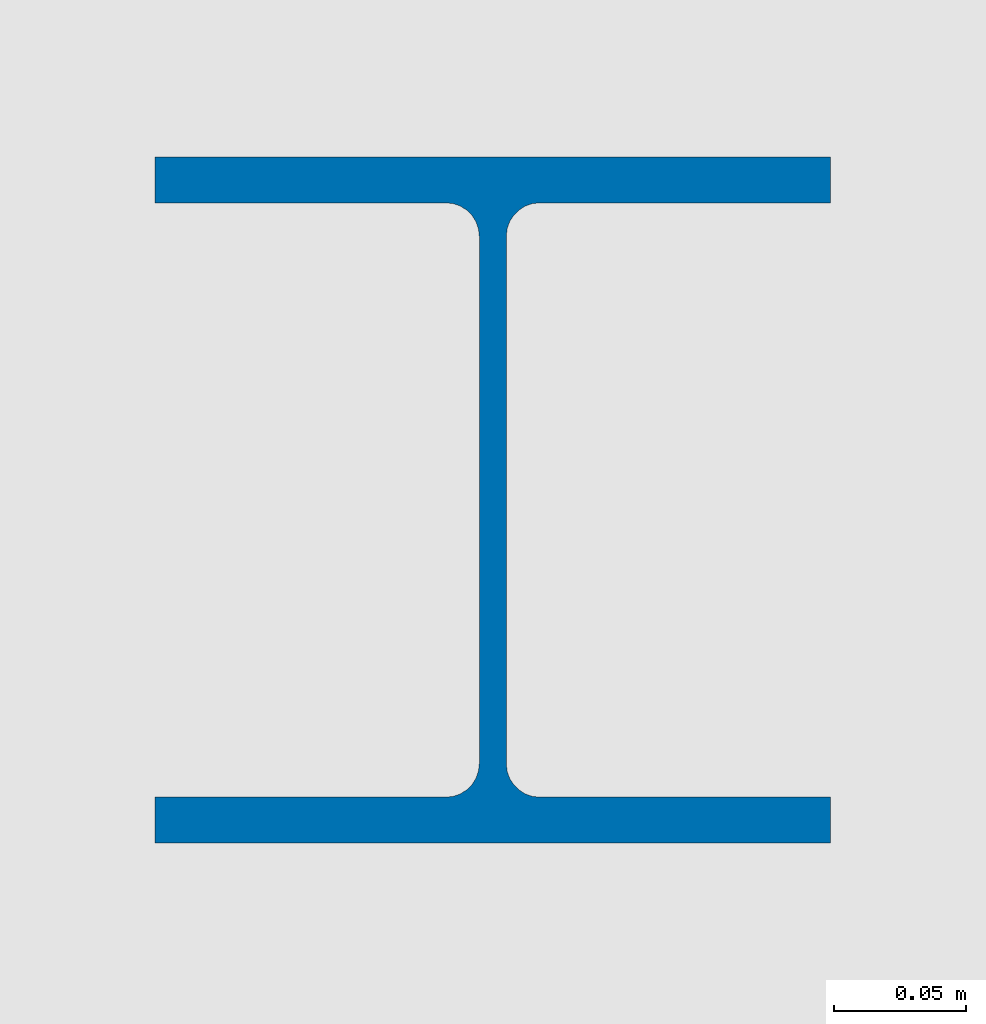
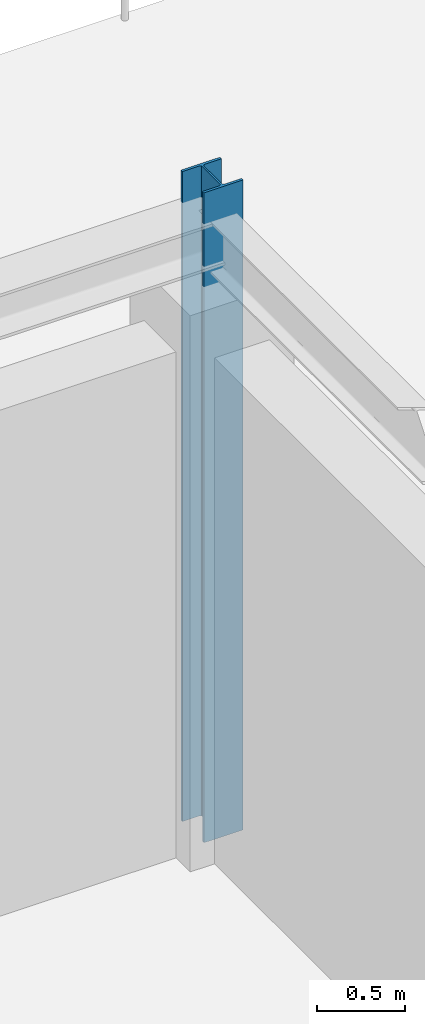
# One storey, part 7 of 36: 1 column.
"""IFC4 building model written with IfcOpenShell, lengths in metres."""

from ifc_helpers import new_model, si_unit, direction, frame, origin, origin_2d, place, context, subcontext, project, spatial, i_section, extrude, material, material_profile, profile_set, type_object, element, save


model = new_model("IFC4")

# Units and contexts
model_context = context("Model", 3, precision=1e-05, world=origin(), true_north=direction((0.0, 1.0)))
body_context = subcontext(model_context, "Body", "Model", "MODEL_VIEW")
ifc_project = project(units=[si_unit("LENGTHUNIT", "METRE"), si_unit("AREAUNIT", "SQUARE_METRE"), si_unit("VOLUMEUNIT", "CUBIC_METRE"), si_unit("PLANEANGLEUNIT", "RADIAN"), si_unit("MASSUNIT", "GRAM", prefix="KILO")], contexts=[model_context])

# Site, building, storey
site_placement = place(None, origin())
site = spatial("IfcSite", under=ifc_project, at=site_placement, CompositionType="ELEMENT")
building_placement = place(site_placement, origin())
building = spatial("IfcBuilding", under=site, at=building_placement, Name="Kemerveld Promenade Tramway Depot", CompositionType="ELEMENT")
storey_placement = place(building_placement, frame((0.0, 0.0, 14.39990234375)))
storey = spatial("IfcBuildingStorey", under=building, at=storey_placement, Name="L03", CompositionType="ELEMENT", Elevation=14.39990234375)

# Column
ifc_material = material(Name="Steel S355", Category="steel")
ifc_material_profile = material_profile(ifc_material, i_section(OverallWidth=0.25634765625, OverallDepth=0.26025390625, WebThickness=0.01025390625, FlangeThickness=0.017333984375, FilletRadius=0.0126953125, at=origin_2d()), Name="254x254x89 UC")
ifc_profile_set = profile_set([ifc_material_profile], Name="Steel S355")
column_type = type_object("IfcColumnType", Name="COL-S08", PredefinedType="COLUMN", material=ifc_profile_set)
column_placement = place(storey_placement, frame((43.199951171875, 64.800048828125, 0.0), z_axis=(0.0, 0.0, 1.0), x_axis=(1.0, 0.0, 0.0)))
element("IfcColumn", 1, at=column_placement, inside=storey, type_object=column_type, Name="COL-L03-07-K", PredefinedType="COLUMN", context=body_context, shape_type="SweptSolid", body=[
    extrude(i_section(OverallWidth=0.25634765625, OverallDepth=0.26025390625, WebThickness=0.01025390625, FlangeThickness=0.017333984375, FilletRadius=0.0126953125, at=origin_2d()), origin(), (0.0, 0.0, 1.0), 4.5),
])

save(model, "model.ifc")
